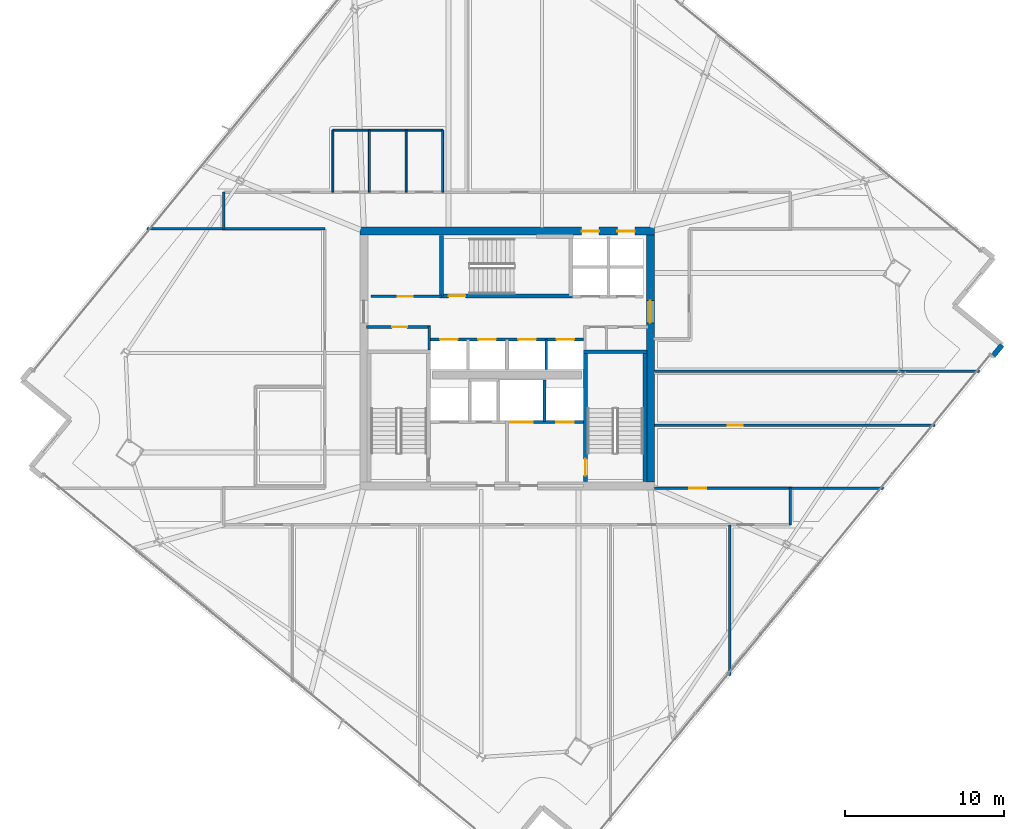
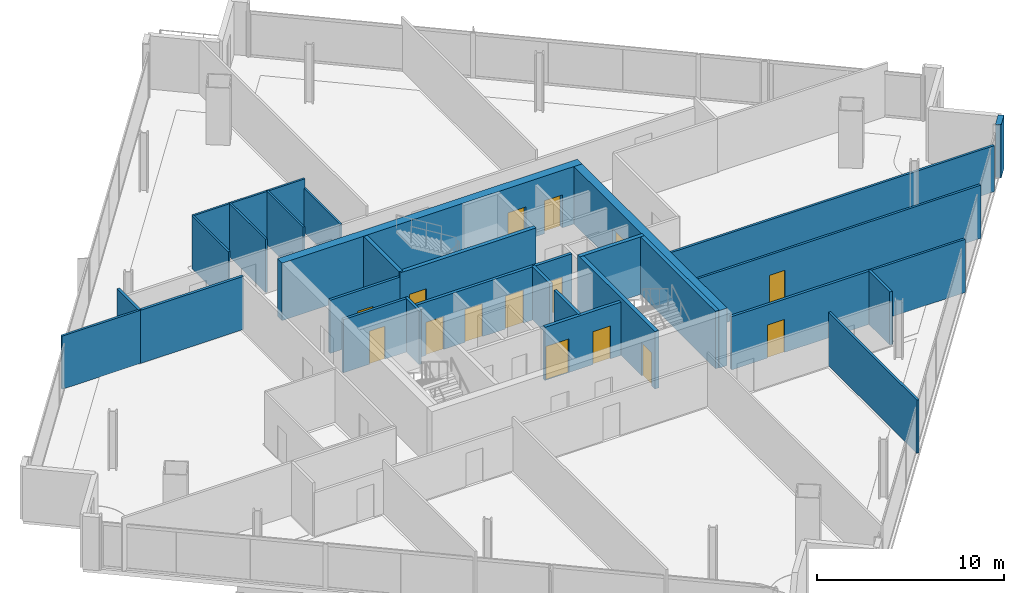
# One storey, part 21 of 28: 29 walls, 15 doors, 15 openings.
"""IFC4 building model written with IfcOpenShell, lengths in metres."""

from ifc_helpers import new_model, si_unit, direction, frame, frame_2d, origin, place, context, subcontext, project, spatial, rectangle, extrude, material, layer, layer_set, type_object, element, fill, save


model = new_model("IFC4")

# Units and contexts
model_context = context("Model", 3, precision=1e-05, world=origin(), true_north=direction((0.0, 1.0)))
body_context = subcontext(model_context, "Body", "Model", "MODEL_VIEW")
ifc_project = project(units=[si_unit("LENGTHUNIT", "METRE"), si_unit("AREAUNIT", "SQUARE_METRE"), si_unit("VOLUMEUNIT", "CUBIC_METRE"), si_unit("PLANEANGLEUNIT", "RADIAN"), si_unit("MASSUNIT", "GRAM", prefix="KILO")], contexts=[model_context])

# Site, building, storey
site_placement = place(None, origin())
site = spatial("IfcSite", under=ifc_project, at=site_placement, CompositionType="ELEMENT")
building_placement = place(site_placement, origin())
building = spatial("IfcBuilding", under=site, at=building_placement, Name="Haldenkirk Collegiate Tower", CompositionType="ELEMENT")
storey_placement = place(building_placement, frame((0.0, 0.0, 198.449951171875)))
storey = spatial("IfcBuildingStorey", under=building, at=storey_placement, Name="L49", CompositionType="ELEMENT", Elevation=198.449951171875)

# Wall, openings, doors
ifc_material_1 = material(Name="Concrete f'c 55 MPa", Category="concrete")
ifc_layer_1 = layer(ifc_material_1, 0.5)
ifc_layer_set_1 = layer_set([ifc_layer_1], Name="Concrete f'c 55 MPa")
wall_type_1 = type_object("IfcWallType", Name="WL-CORE-500", PredefinedType="SHEAR", material=ifc_layer_set_1)
wall_1_placement = place(storey_placement, frame((26.75, 34.0, 0.0), z_axis=(0.0, 0.0, 1.0), x_axis=(1.0, 0.0, 0.0)))
wall_1 = element("IfcWall", 1, at=wall_1_placement, inside=storey, type_object=wall_type_1, Name="L49 central core shear wall N", PredefinedType="SHEAR", context=body_context, shape_type="SweptSolid", body=[
    extrude(rectangle(XDim=18.5, YDim=0.5, at=frame_2d((9.25, 0.0))), origin(), (0.0, 0.0, 1.0), 3.75),
])
opening_1_placement = place(wall_1_placement, frame((13.93505859375, 0.0, 0.0)))
opening_1 = element("IfcOpeningElement", 2, at=opening_1_placement, cuts=wall_1, Name="Opening LD-11", PredefinedType="OPENING", context=body_context, shape_type="SweptSolid", body=[
    extrude(rectangle(XDim=1.10009765625, YDim=2.14990234375, at=frame_2d((0.550048828125, 1.074951171875))), frame((0.0, 0.260009765625, 0.0), z_axis=(0.0, -1.0, 0.0), x_axis=(1.0, 0.0, 0.0)), (0.0, 0.0, 1.0), 0.52001953125),
])
opening_2_placement = place(wall_1_placement, frame((16.18505859375, 0.0, 0.0)))
opening_2 = element("IfcOpeningElement", 3, at=opening_2_placement, cuts=wall_1, Name="Opening LD-11", PredefinedType="OPENING", context=body_context, shape_type="SweptSolid", body=[
    extrude(rectangle(XDim=1.10009765625, YDim=2.14990234375, at=frame_2d((0.550048828125, 1.074951171875))), frame((0.0, 0.260009765625, 0.0), z_axis=(0.0, -1.0, 0.0), x_axis=(1.0, 0.0, 0.0)), (0.0, 0.0, 1.0), 0.52001953125),
])
ifc_material_2 = material(Name="Brushed architectural stainless steel", Category="steel")
ifc_layer_2 = layer(ifc_material_2, 0.06005859375)
ifc_layer_set_2 = layer_set([ifc_layer_2], Name="Brushed architectural stainless steel")
door_type_1 = type_object("IfcDoorType", Name="LD-PASS-1100", OperationType="NOTDEFINED", PredefinedType="DOOR", material=ifc_layer_set_2)
door_1_placement = place(opening_1_placement, origin())
door_1 = element("IfcDoor", 4, at=door_1_placement, inside=storey, type_object=door_type_1, Name="L49 Elevator PM3 sliding landing door", OperationType="SLIDING_TO_LEFT", OverallHeight=2.14990234375, OverallWidth=1.10009765625, PredefinedType="DOOR", context=body_context, shape_type="SweptSolid", body=[
    extrude(rectangle(XDim=1.10009765625, YDim=2.14990234375, at=frame_2d((0.550048828125, 1.074951171875))), frame((0.0, 0.02490234375, 0.0), z_axis=(0.0, -1.0, 0.0), x_axis=(1.0, 0.0, 0.0)), (0.0, 0.0, 1.0), 0.050048828125),
])
fill(opening_1, door_1)
door_2_placement = place(opening_2_placement, origin())
door_2 = element("IfcDoor", 5, at=door_2_placement, inside=storey, type_object=door_type_1, Name="L49 Elevator PM4 sliding landing door", OperationType="SLIDING_TO_LEFT", OverallHeight=2.14990234375, OverallWidth=1.10009765625, PredefinedType="DOOR", context=body_context, shape_type="SweptSolid", body=[
    extrude(rectangle(XDim=1.10009765625, YDim=2.14990234375, at=frame_2d((0.550048828125, 1.074951171875))), frame((0.0, 0.02490234375, 0.0), z_axis=(0.0, -1.0, 0.0), x_axis=(1.0, 0.0, 0.0)), (0.0, 0.0, 1.0), 0.050048828125),
])
fill(opening_2, door_2)

# Wall, opening, door
wall_2_placement = place(storey_placement, frame((45.0, 18.25, 0.0), z_axis=(0.0, 0.0, 1.0), x_axis=(0.0, 1.0, 0.0)))
wall_2 = element("IfcWall", 6, at=wall_2_placement, inside=storey, type_object=wall_type_1, Name="L49 central core shear wall E", PredefinedType="SHEAR", context=body_context, shape_type="SweptSolid", body=[
    extrude(rectangle(XDim=15.5, YDim=0.5, at=frame_2d((7.75, 0.0))), origin(), (0.0, 0.0, 1.0), 3.75),
])
opening_3_placement = place(wall_2_placement, frame((9.989990234375, 0.0, 0.0)))
opening_3 = element("IfcOpeningElement", 7, at=opening_3_placement, cuts=wall_2, Name="Opening D-03", PredefinedType="OPENING", context=body_context, shape_type="SweptSolid", body=[
    extrude(rectangle(XDim=1.39990234375, YDim=2.199951171875, at=frame_2d((0.699951171875, 1.10009765625))), frame((0.0, 0.260009765625, 0.0), z_axis=(0.0, -1.0, 0.0), x_axis=(1.0, 0.0, 0.0)), (0.0, 0.0, 1.0), 0.52001953125),
])
ifc_material_3 = material(Name="Galvanized fire-rated hollow steel door", Category="steel")
ifc_layer_3 = layer(ifc_material_3, 0.06005859375)
ifc_layer_set_3 = layer_set([ifc_layer_3], Name="Galvanized fire-rated hollow steel door")
door_type_2 = type_object("IfcDoorType", Name="DR-LOBBY-FD90-1400", OperationType="NOTDEFINED", PredefinedType="DOOR", material=ifc_layer_set_3)
door_3_placement = place(opening_3_placement, origin())
door_3 = element("IfcDoor", 8, at=door_3_placement, inside=storey, type_object=door_type_2, Name="L49 east lift lobby portal", OperationType="DOUBLE_DOOR_SINGLE_SWING", OverallHeight=2.199951171875, OverallWidth=1.39990234375, PredefinedType="DOOR", context=body_context, shape_type="SweptSolid", body=[
    extrude(rectangle(XDim=1.39990234375, YDim=2.199951171875, at=frame_2d((0.699951171875, 1.10009765625))), frame((0.0, 0.02490234375, 0.0), z_axis=(0.0, -1.0, 0.0), x_axis=(1.0, 0.0, 0.0)), (0.0, 0.0, 1.0), 0.050048828125),
])
fill(opening_3, door_3)

# Wall
ifc_material_4 = material(Name="Precast concrete f'c 40 MPa", Category="concrete")
ifc_layer_4 = layer(ifc_material_4, 0.320068359375)
ifc_layer_set_4 = layer_set([ifc_layer_4], Name="Precast concrete f'c 40 MPa")
wall_type_2 = type_object("IfcWallType", Name="WL-EXT-TWR-320", PredefinedType="STANDARD", material=ifc_layer_set_4)
wall_3_placement = place(storey_placement, frame((67.107666015625, 26.84765625, 0.0), z_axis=(0.0, 0.0, 1.0), x_axis=(-0.63469893291, -0.772759512761, 0.0)))
element("IfcWall", 9, at=wall_3_placement, inside=storey, type_object=wall_type_2, Name="L49 precast corner pier SL", PredefinedType="STANDARD", context=body_context, shape_type="SweptSolid", body=[
    extrude(rectangle(XDim=0.900146484375, YDim=0.320068359375, at=frame_2d((0.4501953125, 0.0))), origin(), (0.0, 0.0, 1.0), 3.469970703125),
])

# Wall, opening, door
ifc_material_5 = material(Name="Acoustic fire-rated gypsum partition", Category="concrete")
ifc_layer_5 = layer(ifc_material_5, 0.159912109375)
ifc_layer_set_5 = layer_set([ifc_layer_5], Name="Acoustic fire-rated gypsum partition")
wall_type_3 = type_object("IfcWallType", Name="WL-INT-CORR-160", PredefinedType="PARTITIONING", material=ifc_layer_set_5)
wall_4_placement = place(storey_placement, frame((27.14990234375, 27.97998046875, 0.0), z_axis=(0.0, 0.0, 1.0), x_axis=(1.0, 0.0, 0.0)))
wall_4 = element("IfcWall", 10, at=wall_4_placement, inside=storey, type_object=wall_type_3, Name="L49 interior partition IW-L49-VCSW-N", PredefinedType="PARTITIONING", context=body_context, shape_type="SweptSolid", body=[
    extrude(rectangle(XDim=4.050048828125, YDim=0.159912109375, at=frame_2d((2.02490234375, 0.0))), origin(), (0.0, 0.0, 1.0), 3.469970703125),
])
opening_4_placement = place(wall_4_placement, frame((1.625, 0.0, 0.0)))
opening_4 = element("IfcOpeningElement", 11, at=opening_4_placement, cuts=wall_4, Name="Opening D-10", PredefinedType="OPENING", context=body_context, shape_type="SweptSolid", body=[
    extrude(rectangle(XDim=0.949951171875, YDim=2.14990234375, at=frame_2d((0.47509765625, 1.074951171875))), frame((0.0, 0.08984375, 0.0), z_axis=(0.0, -1.0, 0.0), x_axis=(1.0, 0.0, 0.0)), (0.0, 0.0, 1.0), 0.179931640625),
])
ifc_material_6 = material(Name="Solid-core architectural oak fire door", Category="wood")
ifc_layer_6 = layer(ifc_material_6, 0.06005859375)
ifc_layer_set_6 = layer_set([ifc_layer_6], Name="Solid-core architectural oak fire door")
door_type_3 = type_object("IfcDoorType", Name="DR-INT-FD60-950", OperationType="NOTDEFINED", PredefinedType="DOOR", material=ifc_layer_set_6)
door_4_placement = place(opening_4_placement, origin())
door_4 = element("IfcDoor", 12, at=door_4_placement, inside=storey, type_object=door_type_3, Name="L49 core tea pantry door", OperationType="SINGLE_SWING_RIGHT", OverallHeight=2.14990234375, OverallWidth=0.949951171875, PredefinedType="DOOR", context=body_context, shape_type="SweptSolid", body=[
    extrude(rectangle(XDim=0.949951171875, YDim=2.14990234375, at=frame_2d((0.47509765625, 1.074951171875))), frame((0.0, 0.02490234375, 0.0), z_axis=(0.0, -1.0, 0.0), x_axis=(1.0, 0.0, 0.0)), (0.0, 0.0, 1.0), 0.050048828125),
])
fill(opening_4, door_4)

# Wall
wall_5_placement = place(storey_placement, frame((31.1201171875, 26.5400390625, 0.0), z_axis=(0.0, 0.0, 1.0), x_axis=(0.0, 1.0, 0.0)))
element("IfcWall", 13, at=wall_5_placement, inside=storey, type_object=wall_type_3, Name="L49 interior partition IW-L49-VCSW-E", PredefinedType="PARTITIONING", context=body_context, shape_type="SweptSolid", body=[
    extrude(rectangle(XDim=1.510009765625, YDim=0.159912109375, at=frame_2d((0.7548828125, 0.0))), origin(), (0.0, 0.0, 1.0), 3.469970703125),
])

# Wall, opening, door
wall_6_placement = place(storey_placement, frame((27.449951171875, 29.89990234375, 0.0), z_axis=(0.0, 0.0, 1.0), x_axis=(1.0, 0.0, 0.0)))
wall_6 = element("IfcWall", 14, at=wall_6_placement, inside=storey, type_object=wall_type_3, Name="L49 interior partition IW-L49-PLS", PredefinedType="PARTITIONING", context=body_context, shape_type="SweptSolid", body=[
    extrude(rectangle(XDim=4.429931640625, YDim=0.159912109375, at=frame_2d((2.21484375, 0.0))), origin(), (0.0, 0.0, 1.0), 3.469970703125),
])
opening_5_placement = place(wall_6_placement, frame((1.675048828125, 0.0, 0.0)))
opening_5 = element("IfcOpeningElement", 15, at=opening_5_placement, cuts=wall_6, Name="Opening D-10", PredefinedType="OPENING", context=body_context, shape_type="SweptSolid", body=[
    extrude(rectangle(XDim=0.949951171875, YDim=2.14990234375, at=frame_2d((0.47509765625, 1.074951171875))), frame((0.0, 0.08984375, 0.0), z_axis=(0.0, -1.0, 0.0), x_axis=(1.0, 0.0, 0.0)), (0.0, 0.0, 1.0), 0.179931640625),
])
door_5_placement = place(opening_5_placement, origin())
door_5 = element("IfcDoor", 16, at=door_5_placement, inside=storey, type_object=door_type_3, Name="L49 archive door", OperationType="SINGLE_SWING_LEFT", OverallHeight=2.14990234375, OverallWidth=0.949951171875, PredefinedType="DOOR", context=body_context, shape_type="SweptSolid", body=[
    extrude(rectangle(XDim=0.949951171875, YDim=2.14990234375, at=frame_2d((0.47509765625, 1.074951171875))), frame((0.0, 0.02490234375, 0.0), z_axis=(0.0, -1.0, 0.0), x_axis=(1.0, 0.0, 0.0)), (0.0, 0.0, 1.0), 0.050048828125),
])
fill(opening_5, door_5)

wall_7_placement = place(storey_placement, frame((45.25, 17.85009765625, 0.0), z_axis=(0.0, 0.0, 1.0), x_axis=(1.0, 0.0, 0.0)))
wall_7 = element("IfcWall", 17, at=wall_7_placement, inside=storey, type_object=wall_type_3, Name="L49 interior partition IW-L49-CSE", PredefinedType="PARTITIONING", context=body_context, shape_type="SweptSolid", body=[
    extrude(rectangle(XDim=8.550048828125, YDim=0.159912109375, at=frame_2d((4.27490234375, 0.0))), origin(), (0.0, 0.0, 1.0), 3.469970703125),
])
opening_6_placement = place(wall_7_placement, frame((2.2109375, 0.0, 0.0)))
opening_6 = element("IfcOpeningElement", 18, at=opening_6_placement, cuts=wall_7, Name="Opening D-09", PredefinedType="OPENING", context=body_context, shape_type="SweptSolid", body=[
    extrude(rectangle(XDim=1.050048828125, YDim=2.14990234375, at=frame_2d((0.52490234375, 1.074951171875))), frame((0.0, 0.08984375, 0.0), z_axis=(0.0, -1.0, 0.0), x_axis=(1.0, 0.0, 0.0)), (0.0, 0.0, 1.0), 0.179931640625),
])
ifc_layer_7 = layer(ifc_material_6, 0.06005859375)
ifc_layer_set_7 = layer_set([ifc_layer_7], Name="Solid-core architectural oak fire door")
door_type_4 = type_object("IfcDoorType", Name="DR-INT-FD60-1050", OperationType="NOTDEFINED", PredefinedType="DOOR", material=ifc_layer_set_7)
door_6_placement = place(opening_6_placement, origin())
door_6 = element("IfcDoor", 19, at=door_6_placement, inside=storey, type_object=door_type_4, Name="L49 Graduate Study Lounge 10 door", OperationType="SINGLE_SWING_RIGHT", OverallHeight=2.14990234375, OverallWidth=1.050048828125, PredefinedType="DOOR", context=body_context, shape_type="SweptSolid", body=[
    extrude(rectangle(XDim=1.050048828125, YDim=2.14990234375, at=frame_2d((0.52490234375, 1.074951171875))), frame((0.0, 0.02490234375, 0.0), z_axis=(0.0, -1.0, 0.0), x_axis=(1.0, 0.0, 0.0)), (0.0, 0.0, 1.0), 0.050048828125),
])
fill(opening_6, door_6)

# Walls
wall_8_placement = place(storey_placement, frame((18.199951171875, 34.14990234375, 0.0), z_axis=(0.0, 0.0, 1.0), x_axis=(1.0, 0.0, 0.0)))
element("IfcWall", 20, at=wall_8_placement, inside=storey, type_object=wall_type_3, Name="L49 interior partition IW-L49-CNW", PredefinedType="PARTITIONING", context=body_context, shape_type="SweptSolid", body=[
    extrude(rectangle(XDim=6.35009765625, YDim=0.159912109375, at=frame_2d((3.175048828125, 0.0))), origin(), (0.0, 0.0, 1.0), 3.469970703125),
])
for number, where, z_axis, x_axis, name in (
    (21, (53.800048828125, 15.550048828125, 0.0), (0.0, 0.0, 1.0), (0.0, 1.0, 0.0), "L49 interior partition IW-L49-CSR"),
    (22, (18.199951171875, 34.14990234375, 0.0), (0.0, 0.0, 1.0), (0.0, 1.0, 0.0), "L49 interior partition IW-L49-CNL"),
):
    element("IfcWall", number, at=place(storey_placement, frame(where, z_axis=z_axis, x_axis=x_axis)), inside=storey, type_object=wall_type_3, Name=name, PredefinedType="PARTITIONING", context=body_context, shape_type="SweptSolid", body=[
        extrude(rectangle(XDim=2.300048828125, YDim=0.159912109375, at=frame_2d((1.14990234375, 0.0))), origin(), (0.0, 0.0, 1.0), 3.469970703125),
    ])
ifc_layer_8 = layer(ifc_material_5, 0.139892578125)
ifc_layer_set_8 = layer_set([ifc_layer_8], Name="Acoustic fire-rated gypsum partition")
wall_type_4 = type_object("IfcWallType", Name="WL-INT-DIV-140", PredefinedType="PARTITIONING", material=ifc_layer_set_8)
wall_9_placement = place(storey_placement, frame((13.3701171875, 34.14990234375, 0.0), z_axis=(0.0, 0.0, 1.0), x_axis=(1.0, 0.0, 0.0)))
element("IfcWall", 23, at=wall_9_placement, inside=storey, type_object=wall_type_4, Name="L49 interior partition IW-L49-BWN", PredefinedType="PARTITIONING", context=body_context, shape_type="SweptSolid", body=[
    extrude(rectangle(XDim=4.829833984375, YDim=0.139892578125, at=frame_2d((2.4150390625, 0.0))), origin(), (0.0, 0.0, 1.0), 3.469970703125),
])
wall_10_placement = place(storey_placement, frame((53.800048828125, 17.85009765625, 0.0), z_axis=(0.0, 0.0, 1.0), x_axis=(1.0, 0.0, 0.0)))
element("IfcWall", 24, at=wall_10_placement, inside=storey, type_object=wall_type_4, Name="L49 interior partition IW-L49-BES", PredefinedType="PARTITIONING", context=body_context, shape_type="SweptSolid", body=[
    extrude(rectangle(XDim=5.865234375, YDim=0.139892578125, at=frame_2d((2.9326171875, 0.0))), origin(), (0.0, 0.0, 1.0), 3.469970703125),
])
wall_11_placement = place(storey_placement, frame((50.0, 6.08349609375, 0.0), z_axis=(0.0, 0.0, 1.0), x_axis=(0.0, 1.0, 0.0)))
element("IfcWall", 25, at=wall_11_placement, inside=storey, type_object=wall_type_4, Name="L49 interior partition IW-L49-RS4", PredefinedType="PARTITIONING", context=body_context, shape_type="SweptSolid", body=[
    extrude(rectangle(XDim=9.466552734375, YDim=0.139892578125, at=frame_2d((4.7333984375, 0.0))), origin(), (0.0, 0.0, 1.0), 3.469970703125),
])

# Wall, opening, door
wall_12_placement = place(storey_placement, frame((45.25, 21.800048828125, 0.0), z_axis=(0.0, 0.0, 1.0), x_axis=(1.0, 0.0, 0.0)))
wall_12 = element("IfcWall", 26, at=wall_12_placement, inside=storey, type_object=wall_type_4, Name="L49 interior partition IW-L49-RE1", PredefinedType="PARTITIONING", context=body_context, shape_type="SweptSolid", body=[
    extrude(rectangle(XDim=17.659912109375, YDim=0.139892578125, at=frame_2d((8.830078125, 0.0))), origin(), (0.0, 0.0, 1.0), 3.469970703125),
])
opening_7_placement = place(wall_12_placement, frame((4.613037109375, 0.0, 0.0)))
opening_7 = element("IfcOpeningElement", 27, at=opening_7_placement, cuts=wall_12, Name="Opening D-12", PredefinedType="OPENING", context=body_context, shape_type="SweptSolid", body=[
    extrude(rectangle(XDim=0.949951171875, YDim=2.14990234375, at=frame_2d((0.47509765625, 1.074951171875))), frame((0.0, 0.079833984375, 0.0), z_axis=(0.0, -1.0, 0.0), x_axis=(1.0, 0.0, 0.0)), (0.0, 0.0, 1.0), 0.159912109375),
])
ifc_layer_9 = layer(ifc_material_6, 0.06005859375)
ifc_layer_set_9 = layer_set([ifc_layer_9], Name="Solid-core architectural oak fire door")
door_type_5 = type_object("IfcDoorType", Name="DR-INT-STD-950", OperationType="NOTDEFINED", PredefinedType="DOOR", material=ifc_layer_set_9)
door_7_placement = place(opening_7_placement, origin())
door_7 = element("IfcDoor", 28, at=door_7_placement, inside=storey, type_object=door_type_5, Name="L49 Special Collections Archive 11 door", OperationType="SINGLE_SWING_LEFT", OverallHeight=2.14990234375, OverallWidth=0.949951171875, PredefinedType="DOOR", context=body_context, shape_type="SweptSolid", body=[
    extrude(rectangle(XDim=0.949951171875, YDim=2.14990234375, at=frame_2d((0.47509765625, 1.074951171875))), frame((0.0, 0.02490234375, 0.0), z_axis=(0.0, -1.0, 0.0), x_axis=(1.0, 0.0, 0.0)), (0.0, 0.0, 1.0), 0.050048828125),
])
fill(opening_7, door_7)

# Walls
wall_13_placement = place(storey_placement, frame((45.25, 25.199951171875, 0.0), z_axis=(0.0, 0.0, 1.0), x_axis=(1.0, 0.0, 0.0)))
element("IfcWall", 29, at=wall_13_placement, inside=storey, type_object=wall_type_4, Name="L49 interior partition IW-L49-RE2", PredefinedType="PARTITIONING", context=body_context, shape_type="SweptSolid", body=[
    extrude(rectangle(XDim=20.45263671875, YDim=0.139892578125, at=frame_2d((10.226318359375, 0.0))), origin(), (0.0, 0.0, 1.0), 3.008056640625),
])
ifc_material_7 = material(Name="Fire-rated gypsum shaftboard assembly", Category="concrete")
ifc_layer_10 = layer(ifc_material_7, 0.179931640625)
ifc_layer_set_10 = layer_set([ifc_layer_10], Name="Fire-rated gypsum shaftboard assembly")
wall_type_5 = type_object("IfcWallType", Name="WL-INT-SHAFT-180", PredefinedType="PARTITIONING", material=ifc_layer_set_10)
wall_14_placement = place(storey_placement, frame((38.35009765625, 22.050048828125, 0.0), z_axis=(0.0, 0.0, 1.0), x_axis=(0.0, 1.0, 0.0)))
element("IfcWall", 30, at=wall_14_placement, inside=storey, type_object=wall_type_5, Name="L49 interior partition IW-L49-GL1E", PredefinedType="PARTITIONING", context=body_context, shape_type="SweptSolid", body=[
    extrude(rectangle(XDim=2.599853515625, YDim=0.179931640625, at=frame_2d((1.2998046875, 0.0))), origin(), (0.0, 0.0, 1.0), 3.469970703125),
])

# Wall, openings, doors
wall_15_placement = place(storey_placement, frame((31.199951171875, 27.199951171875, 0.0), z_axis=(0.0, 0.0, 1.0), x_axis=(1.0, 0.0, 0.0)))
wall_15 = element("IfcWall", 31, at=wall_15_placement, inside=storey, type_object=wall_type_5, Name="L49 interior partition IW-L49-PHN", PredefinedType="PARTITIONING", context=body_context, shape_type="SweptSolid", body=[
    extrude(rectangle(XDim=9.60009765625, YDim=0.179931640625, at=frame_2d((4.800048828125, 0.0))), origin(), (0.0, 0.0, 1.0), 3.469970703125),
])
opening_8_placement = place(wall_15_placement, frame((0.590087890625, 0.0, 0.0)))
opening_8 = element("IfcOpeningElement", 32, at=opening_8_placement, cuts=wall_15, Name="Opening LD-11", PredefinedType="OPENING", context=body_context, shape_type="SweptSolid", body=[
    extrude(rectangle(XDim=1.10009765625, YDim=2.14990234375, at=frame_2d((0.550048828125, 1.074951171875))), frame((0.0, 0.099853515625, 0.0), z_axis=(0.0, -1.0, 0.0), x_axis=(1.0, 0.0, 0.0)), (0.0, 0.0, 1.0), 0.199951171875),
])
opening_9_placement = place(wall_15_placement, frame((2.989990234375, 0.0, 0.0)))
opening_9 = element("IfcOpeningElement", 33, at=opening_9_placement, cuts=wall_15, Name="Opening LD-11", PredefinedType="OPENING", context=body_context, shape_type="SweptSolid", body=[
    extrude(rectangle(XDim=1.10009765625, YDim=2.14990234375, at=frame_2d((0.550048828125, 1.074951171875))), frame((0.0, 0.099853515625, 0.0), z_axis=(0.0, -1.0, 0.0), x_axis=(1.0, 0.0, 0.0)), (0.0, 0.0, 1.0), 0.199951171875),
])
opening_10_placement = place(wall_15_placement, frame((5.510009765625, 0.0, 0.0)))
opening_10 = element("IfcOpeningElement", 34, at=opening_10_placement, cuts=wall_15, Name="Opening LD-11", PredefinedType="OPENING", context=body_context, shape_type="SweptSolid", body=[
    extrude(rectangle(XDim=1.10009765625, YDim=2.14990234375, at=frame_2d((0.550048828125, 1.074951171875))), frame((0.0, 0.099853515625, 0.0), z_axis=(0.0, -1.0, 0.0), x_axis=(1.0, 0.0, 0.0)), (0.0, 0.0, 1.0), 0.199951171875),
])
opening_11_placement = place(wall_15_placement, frame((7.909912109375, 0.0, 0.0)))
opening_11 = element("IfcOpeningElement", 35, at=opening_11_placement, cuts=wall_15, Name="Opening LD-11", PredefinedType="OPENING", context=body_context, shape_type="SweptSolid", body=[
    extrude(rectangle(XDim=1.10009765625, YDim=2.14990234375, at=frame_2d((0.550048828125, 1.074951171875))), frame((0.0, 0.099853515625, 0.0), z_axis=(0.0, -1.0, 0.0), x_axis=(1.0, 0.0, 0.0)), (0.0, 0.0, 1.0), 0.199951171875),
])
door_8_placement = place(opening_8_placement, origin())
door_8 = element("IfcDoor", 36, at=door_8_placement, inside=storey, type_object=door_type_1, Name="L49 Elevator PH1 sliding landing door", OperationType="SLIDING_TO_LEFT", OverallHeight=2.14990234375, OverallWidth=1.10009765625, PredefinedType="DOOR", context=body_context, shape_type="SweptSolid", body=[
    extrude(rectangle(XDim=1.10009765625, YDim=2.14990234375, at=frame_2d((0.550048828125, 1.074951171875))), frame((0.0, 0.02490234375, 0.0), z_axis=(0.0, -1.0, 0.0), x_axis=(1.0, 0.0, 0.0)), (0.0, 0.0, 1.0), 0.050048828125),
])
fill(opening_8, door_8)
door_9_placement = place(opening_9_placement, origin())
door_9 = element("IfcDoor", 37, at=door_9_placement, inside=storey, type_object=door_type_1, Name="L49 Elevator PH2 sliding landing door", OperationType="SLIDING_TO_LEFT", OverallHeight=2.14990234375, OverallWidth=1.10009765625, PredefinedType="DOOR", context=body_context, shape_type="SweptSolid", body=[
    extrude(rectangle(XDim=1.10009765625, YDim=2.14990234375, at=frame_2d((0.550048828125, 1.074951171875))), frame((0.0, 0.02490234375, 0.0), z_axis=(0.0, -1.0, 0.0), x_axis=(1.0, 0.0, 0.0)), (0.0, 0.0, 1.0), 0.050048828125),
])
fill(opening_9, door_9)
door_10_placement = place(opening_10_placement, origin())
door_10 = element("IfcDoor", 38, at=door_10_placement, inside=storey, type_object=door_type_1, Name="L49 Elevator PH3 sliding landing door", OperationType="SLIDING_TO_LEFT", OverallHeight=2.14990234375, OverallWidth=1.10009765625, PredefinedType="DOOR", context=body_context, shape_type="SweptSolid", body=[
    extrude(rectangle(XDim=1.10009765625, YDim=2.14990234375, at=frame_2d((0.550048828125, 1.074951171875))), frame((0.0, 0.02490234375, 0.0), z_axis=(0.0, -1.0, 0.0), x_axis=(1.0, 0.0, 0.0)), (0.0, 0.0, 1.0), 0.050048828125),
])
fill(opening_10, door_10)
door_11_placement = place(opening_11_placement, origin())
door_11 = element("IfcDoor", 39, at=door_11_placement, inside=storey, type_object=door_type_1, Name="L49 Elevator PH4 sliding landing door", OperationType="SLIDING_TO_LEFT", OverallHeight=2.14990234375, OverallWidth=1.10009765625, PredefinedType="DOOR", context=body_context, shape_type="SweptSolid", body=[
    extrude(rectangle(XDim=1.10009765625, YDim=2.14990234375, at=frame_2d((0.550048828125, 1.074951171875))), frame((0.0, 0.02490234375, 0.0), z_axis=(0.0, -1.0, 0.0), x_axis=(1.0, 0.0, 0.0)), (0.0, 0.0, 1.0), 0.050048828125),
])
fill(opening_11, door_11)

# Wall
wall_16_placement = place(storey_placement, frame((38.4599609375, 25.300048828125, 0.0), z_axis=(0.0, 0.0, 1.0), x_axis=(0.0, 1.0, 0.0)))
element("IfcWall", 40, at=wall_16_placement, inside=storey, type_object=wall_type_5, Name="L49 interior partition IW-L49-PHV3", PredefinedType="PARTITIONING", context=body_context, shape_type="SweptSolid", body=[
    extrude(rectangle(XDim=1.89990234375, YDim=0.179931640625, at=frame_2d((0.949951171875, 0.0))), origin(), (0.0, 0.0, 1.0), 3.469970703125),
])

# Wall, openings, doors
ifc_layer_11 = layer(ifc_material_7, 0.199951171875)
ifc_layer_set_11 = layer_set([ifc_layer_11], Name="Fire-rated gypsum shaftboard assembly")
wall_type_6 = type_object("IfcWallType", Name="WL-INT-SHAFT-200", PredefinedType="PARTITIONING", material=ifc_layer_set_11)
wall_17_placement = place(storey_placement, frame((36.1201171875, 22.0, 0.0), z_axis=(0.0, 0.0, 1.0), x_axis=(1.0, 0.0, 0.0)))
wall_17 = element("IfcWall", 41, at=wall_17_placement, inside=storey, type_object=wall_type_6, Name="L49 interior partition IW-L49-FFL2N", PredefinedType="PARTITIONING", context=body_context, shape_type="SweptSolid", body=[
    extrude(rectangle(XDim=4.68994140625, YDim=0.199951171875, at=frame_2d((2.344970703125, 0.0))), origin(), (0.0, 0.0, 1.0), 3.469970703125),
])
opening_12_placement = place(wall_17_placement, frame((2.955078125, 0.0, 0.0)))
opening_12 = element("IfcOpeningElement", 42, at=opening_12_placement, cuts=wall_17, Name="Opening LD-12", PredefinedType="OPENING", context=body_context, shape_type="SweptSolid", body=[
    extrude(rectangle(XDim=1.10009765625, YDim=2.14990234375, at=frame_2d((0.550048828125, 1.074951171875))), frame((0.0, 0.10986328125, 0.0), z_axis=(0.0, -1.0, 0.0), x_axis=(1.0, 0.0, 0.0)), (0.0, 0.0, 1.0), 0.219970703125),
])
opening_13_placement = place(wall_17_placement, frame((0.080078125, 0.0, 0.0)))
opening_13 = element("IfcOpeningElement", 43, at=opening_13_placement, cuts=wall_17, Name="Opening LD-13", PredefinedType="OPENING", context=body_context, shape_type="SweptSolid", body=[
    extrude(rectangle(XDim=1.39990234375, YDim=2.199951171875, at=frame_2d((0.699951171875, 1.10009765625))), frame((0.0, 0.10986328125, 0.0), z_axis=(0.0, -1.0, 0.0), x_axis=(1.0, 0.0, 0.0)), (0.0, 0.0, 1.0), 0.219970703125),
])
ifc_layer_12 = layer(ifc_material_2, 0.06005859375)
ifc_layer_set_12 = layer_set([ifc_layer_12], Name="Brushed architectural stainless steel")
door_type_6 = type_object("IfcDoorType", Name="LD-FIRE-1100", OperationType="NOTDEFINED", PredefinedType="DOOR", material=ifc_layer_set_12)
door_12_placement = place(opening_12_placement, origin())
door_12 = element("IfcDoor", 44, at=door_12_placement, inside=storey, type_object=door_type_6, Name="L49 Elevator FL2 sliding landing door", OperationType="SLIDING_TO_LEFT", OverallHeight=2.14990234375, OverallWidth=1.10009765625, PredefinedType="DOOR", context=body_context, shape_type="SweptSolid", body=[
    extrude(rectangle(XDim=1.10009765625, YDim=2.14990234375, at=frame_2d((0.550048828125, 1.074951171875))), frame((0.0, 0.02490234375, 0.0), z_axis=(0.0, -1.0, 0.0), x_axis=(1.0, 0.0, 0.0)), (0.0, 0.0, 1.0), 0.050048828125),
])
fill(opening_12, door_12)
ifc_layer_13 = layer(ifc_material_2, 0.06005859375)
ifc_layer_set_13 = layer_set([ifc_layer_13], Name="Brushed architectural stainless steel")
door_type_7 = type_object("IfcDoorType", Name="LD-GOODS-1400", OperationType="NOTDEFINED", PredefinedType="DOOR", material=ifc_layer_set_13)
door_13_placement = place(opening_13_placement, origin())
door_13 = element("IfcDoor", 45, at=door_13_placement, inside=storey, type_object=door_type_7, Name="L49 Elevator GL1 sliding landing door", OperationType="SLIDING_TO_LEFT", OverallHeight=2.199951171875, OverallWidth=1.39990234375, PredefinedType="DOOR", context=body_context, shape_type="SweptSolid", body=[
    extrude(rectangle(XDim=1.39990234375, YDim=2.199951171875, at=frame_2d((0.699951171875, 1.10009765625))), frame((0.0, 0.02490234375, 0.0), z_axis=(0.0, -1.0, 0.0), x_axis=(1.0, 0.0, 0.0)), (0.0, 0.0, 1.0), 0.050048828125),
])
fill(opening_13, door_13)

# Walls
ifc_layer_14 = layer(ifc_material_5, 0.1201171875)
ifc_layer_set_14 = layer_set([ifc_layer_14], Name="Acoustic fire-rated gypsum partition")
wall_type_7 = type_object("IfcWallType", Name="WL-INT-WET-120", PredefinedType="PARTITIONING", material=ifc_layer_set_14)
for number, where, z_axis, x_axis, name in (
    (46, (25.050048828125, 36.449951171875, 0.0), (0.0, 0.0, 1.0), (0.0, 1.0, 0.0), "L49 interior partition IW-L49-WCW"),
    (47, (27.35009765625, 36.449951171875, 0.0), (0.0, 0.0, 1.0), (0.0, 1.0, 0.0), "L49 interior partition IW-L49-WC1"),
    (48, (29.64990234375, 36.449951171875, 0.0), (0.0, 0.0, 1.0), (0.0, 1.0, 0.0), "L49 interior partition IW-L49-WC2"),
):
    element("IfcWall", number, at=place(storey_placement, frame(where, z_axis=z_axis, x_axis=x_axis)), inside=storey, type_object=wall_type_7, Name=name, PredefinedType="PARTITIONING", context=body_context, shape_type="SweptSolid", body=[
        extrude(rectangle(XDim=3.900146484375, YDim=0.1201171875, at=frame_2d((1.9501953125, 0.0))), origin(), (0.0, 0.0, 1.0), 3.469970703125),
    ])
wall_18_placement = place(storey_placement, frame((31.949951171875, 36.449951171875, 0.0), z_axis=(0.0, 0.0, 1.0), x_axis=(0.0, 1.0, 0.0)))
element("IfcWall", 49, at=wall_18_placement, inside=storey, type_object=wall_type_7, Name="L49 interior partition IW-L49-WCE", PredefinedType="PARTITIONING", context=body_context, shape_type="SweptSolid", body=[
    extrude(rectangle(XDim=3.900146484375, YDim=0.1201171875, at=frame_2d((1.9501953125, 0.0))), origin(), (0.0, 0.0, 1.0), 2.84912109375),
])
wall_19_placement = place(storey_placement, frame((25.050048828125, 40.35009765625, 0.0), z_axis=(0.0, 0.0, 1.0), x_axis=(1.0, 0.0, 0.0)))
element("IfcWall", 50, at=wall_19_placement, inside=storey, type_object=wall_type_7, Name="L49 interior partition IW-L49-WCB", PredefinedType="PARTITIONING", context=body_context, shape_type="SweptSolid", body=[
    extrude(rectangle(XDim=6.89990234375, YDim=0.1201171875, at=frame_2d((3.449951171875, 0.0))), origin(), (0.0, 0.0, 1.0), 3.469970703125),
])

# Wall, opening, door
ifc_layer_15 = layer(ifc_material_1, 0.239990234375)
ifc_layer_set_15 = layer_set([ifc_layer_15], Name="Concrete f'c 55 MPa")
wall_type_8 = type_object("IfcWallType", Name="WL-SHAFT-240", PredefinedType="SHEAR", material=ifc_layer_set_15)
wall_20_placement = place(storey_placement, frame((40.929931640625, 18.280029296875, 0.0), z_axis=(0.0, 0.0, 1.0), x_axis=(0.0, 1.0, 0.0)))
wall_20 = element("IfcWall", 51, at=wall_20_placement, inside=storey, type_object=wall_type_8, Name="L49 stair shaft shear wall SW-L49-ST2W", PredefinedType="SHEAR", context=body_context, shape_type="SweptSolid", body=[
    extrude(rectangle(XDim=8.260009765625, YDim=0.239990234375, at=frame_2d((4.1298828125, 0.0))), origin(), (0.0, 0.0, 1.0), 3.75),
])
opening_14_placement = place(wall_20_placement, frame((0.364990234375, 0.0, 0.0)))
opening_14 = element("IfcOpeningElement", 52, at=opening_14_placement, cuts=wall_20, Name="Opening D-01", PredefinedType="OPENING", context=body_context, shape_type="SweptSolid", body=[
    extrude(rectangle(XDim=1.050048828125, YDim=2.14990234375, at=frame_2d((0.52490234375, 1.074951171875))), frame((0.0, 0.1298828125, 0.0), z_axis=(0.0, -1.0, 0.0), x_axis=(1.0, 0.0, 0.0)), (0.0, 0.0, 1.0), 0.260009765625),
])
ifc_layer_16 = layer(ifc_material_3, 0.06005859375)
ifc_layer_set_16 = layer_set([ifc_layer_16], Name="Galvanized fire-rated hollow steel door")
door_type_8 = type_object("IfcDoorType", Name="DR-STAIR-FD90-1050", OperationType="NOTDEFINED", PredefinedType="DOOR", material=ifc_layer_set_16)
door_14_placement = place(opening_14_placement, origin())
door_14 = element("IfcDoor", 53, at=door_14_placement, inside=storey, type_object=door_type_8, Name="L49 Stair 2 door", OperationType="SINGLE_SWING_RIGHT", OverallHeight=2.14990234375, OverallWidth=1.050048828125, PredefinedType="DOOR", context=body_context, shape_type="SweptSolid", body=[
    extrude(rectangle(XDim=1.050048828125, YDim=2.14990234375, at=frame_2d((0.52490234375, 1.074951171875))), frame((0.0, 0.02490234375, 0.0), z_axis=(0.0, -1.0, 0.0), x_axis=(1.0, 0.0, 0.0)), (0.0, 0.0, 1.0), 0.050048828125),
])
fill(opening_14, door_14)

# Walls
wall_21_placement = place(storey_placement, frame((40.81005859375, 26.419921875, 0.0), z_axis=(0.0, 0.0, 1.0), x_axis=(1.0, 0.0, 0.0)))
element("IfcWall", 54, at=wall_21_placement, inside=storey, type_object=wall_type_8, Name="L49 stair shaft shear wall SW-L49-ST2N", PredefinedType="SHEAR", context=body_context, shape_type="SweptSolid", body=[
    extrude(rectangle(XDim=3.97998046875, YDim=0.239990234375, at=frame_2d((1.989990234375, 0.0))), origin(), (0.0, 0.0, 1.0), 3.75),
])
wall_22_placement = place(storey_placement, frame((44.669921875, 18.280029296875, 0.0), z_axis=(0.0, 0.0, 1.0), x_axis=(0.0, 1.0, 0.0)))
element("IfcWall", 55, at=wall_22_placement, inside=storey, type_object=wall_type_8, Name="L49 stair shaft shear wall SW-L49-ST2E", PredefinedType="SHEAR", context=body_context, shape_type="SweptSolid", body=[
    extrude(rectangle(XDim=8.260009765625, YDim=0.239990234375, at=frame_2d((4.1298828125, 0.0))), origin(), (0.0, 0.0, 1.0), 3.75),
])

# Wall, opening, door
wall_23_placement = place(storey_placement, frame((31.760009765625, 29.929931640625, 0.0), z_axis=(0.0, 0.0, 1.0), x_axis=(1.0, 0.0, 0.0)))
wall_23 = element("IfcWall", 56, at=wall_23_placement, inside=storey, type_object=wall_type_8, Name="L49 stair shaft shear wall SW-L49-ST3S", PredefinedType="SHEAR", context=body_context, shape_type="SweptSolid", body=[
    extrude(rectangle(XDim=8.3798828125, YDim=0.239990234375, at=frame_2d((4.18994140625, 0.0))), origin(), (0.0, 0.0, 1.0), 3.75),
])
opening_15_placement = place(wall_23_placement, frame((0.56494140625, 0.0, 0.0)))
opening_15 = element("IfcOpeningElement", 57, at=opening_15_placement, cuts=wall_23, Name="Opening D-01", PredefinedType="OPENING", context=body_context, shape_type="SweptSolid", body=[
    extrude(rectangle(XDim=1.050048828125, YDim=2.14990234375, at=frame_2d((0.52490234375, 1.074951171875))), frame((0.0, 0.1298828125, 0.0), z_axis=(0.0, -1.0, 0.0), x_axis=(1.0, 0.0, 0.0)), (0.0, 0.0, 1.0), 0.260009765625),
])
door_15_placement = place(opening_15_placement, origin())
door_15 = element("IfcDoor", 58, at=door_15_placement, inside=storey, type_object=door_type_8, Name="L49 lift lobby Stair 3 door", OperationType="SINGLE_SWING_RIGHT", OverallHeight=2.14990234375, OverallWidth=1.050048828125, PredefinedType="DOOR", context=body_context, shape_type="SweptSolid", body=[
    extrude(rectangle(XDim=1.050048828125, YDim=2.14990234375, at=frame_2d((0.52490234375, 1.074951171875))), frame((0.0, 0.02490234375, 0.0), z_axis=(0.0, -1.0, 0.0), x_axis=(1.0, 0.0, 0.0)), (0.0, 0.0, 1.0), 0.050048828125),
])
fill(opening_15, door_15)

# Wall
wall_24_placement = place(storey_placement, frame((31.8798828125, 29.929931640625, 0.0), z_axis=(0.0, 0.0, 1.0), x_axis=(0.0, 1.0, 0.0)))
element("IfcWall", 59, at=wall_24_placement, inside=storey, type_object=wall_type_8, Name="L49 stair shaft shear wall SW-L49-ST3W", PredefinedType="SHEAR", context=body_context, shape_type="SweptSolid", body=[
    extrude(rectangle(XDim=3.7900390625, YDim=0.239990234375, at=frame_2d((1.89501953125, 0.0))), origin(), (0.0, 0.0, 1.0), 3.75),
])

save(model, "model.ifc")
